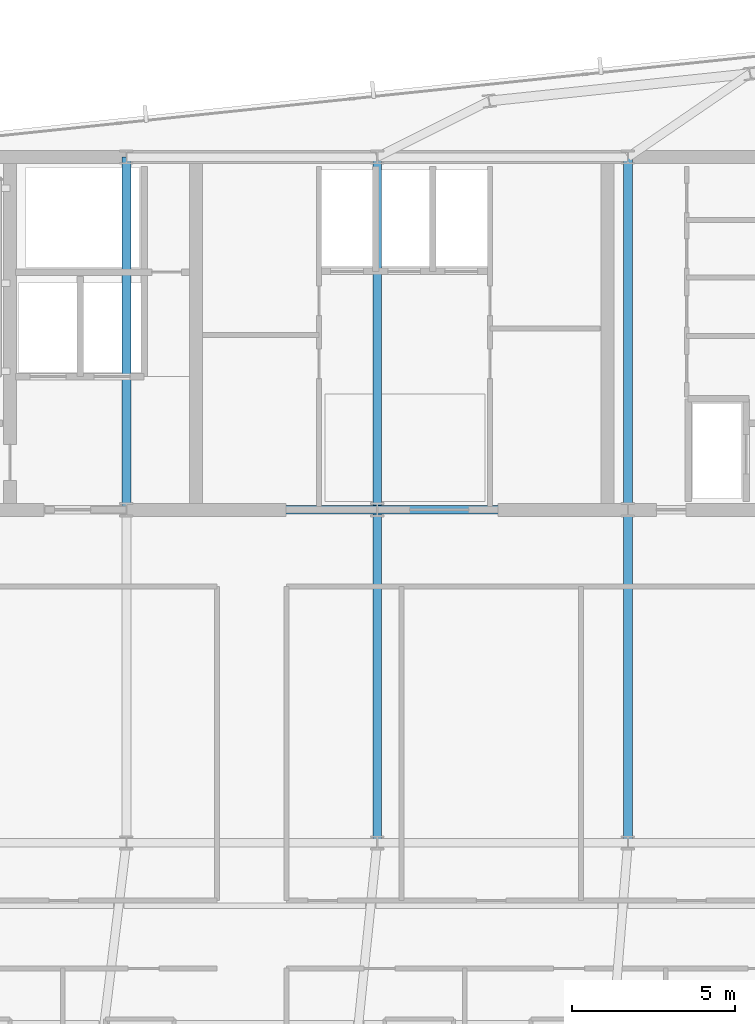
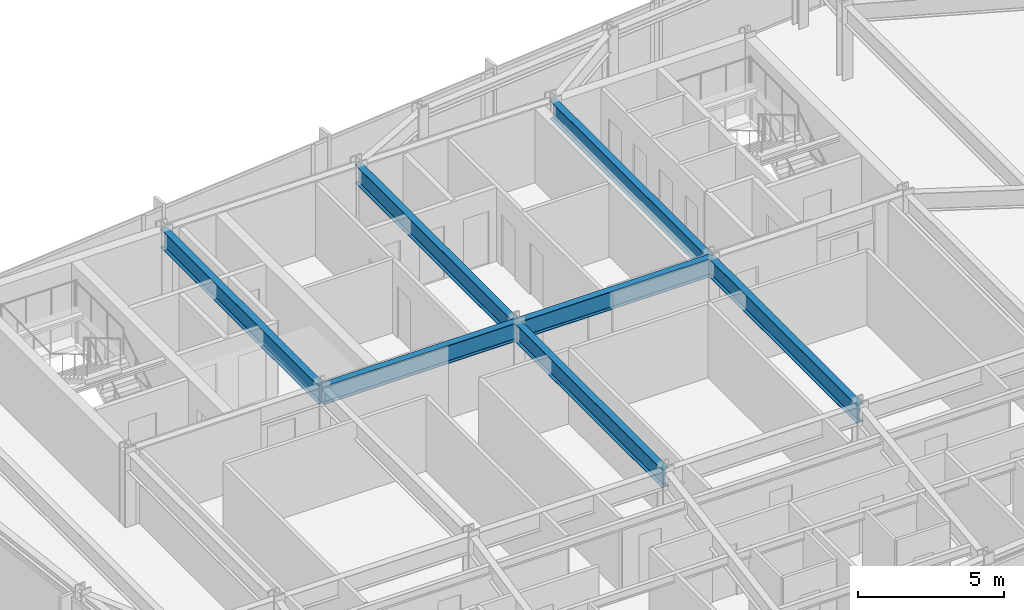
# One storey, part 13 of 33: 7 beams.
"""IFC4 building model written with IfcOpenShell, lengths in metres."""

from ifc_helpers import new_model, si_unit, direction, frame, origin, origin_2d, place, context, subcontext, project, spatial, i_section, extrude, material, material_profile, profile_set, type_object, element, save


model = new_model("IFC4")

# Units and contexts
model_context = context("Model", 3, precision=1e-05, world=origin(), true_north=direction((0.0, 1.0)))
body_context = subcontext(model_context, "Body", "Model", "MODEL_VIEW")
ifc_project = project(units=[si_unit("LENGTHUNIT", "METRE"), si_unit("AREAUNIT", "SQUARE_METRE"), si_unit("VOLUMEUNIT", "CUBIC_METRE"), si_unit("PLANEANGLEUNIT", "RADIAN"), si_unit("MASSUNIT", "GRAM", prefix="KILO")], contexts=[model_context])

# Site, building, storey
site_placement = place(None, origin())
site = spatial("IfcSite", under=ifc_project, at=site_placement, CompositionType="ELEMENT")
building_placement = place(site_placement, origin())
building = spatial("IfcBuilding", under=site, at=building_placement, Name="Yelkora Congress Tower", CompositionType="ELEMENT")
storey_placement = place(building_placement, frame((0.0, 0.0, 227.60009765625)))
storey = spatial("IfcBuildingStorey", under=building, at=storey_placement, Name="L63", CompositionType="ELEMENT", Elevation=227.60009765625)

# Beams
ifc_material = material(Name="Steel S355J2", Category="steel")
ifc_material_profile = material_profile(ifc_material, i_section(OverallWidth=0.26708984375, OverallDepth=0.761962890625, WebThickness=0.014404296875, FlangeThickness=0.021484375, FilletRadius=0.01708984375, at=origin_2d()), Name="IPE 750x173")
ifc_profile_set = profile_set([ifc_material_profile], Name="Steel S355J2")
beam_type = type_object("IfcBeamType", Name="BM-GIRD-IPE750", PredefinedType="BEAM", material=ifc_profile_set)
beam_1_placement = place(storey_placement, frame((30.719970703125, 35.39990234375, 2.698974609375), z_axis=(1.0, 0.0, 0.0), x_axis=(0.0, 1.0, 0.0)))
element("IfcBeam", 1, at=beam_1_placement, inside=storey, type_object=beam_type, Name="L63 Core South Girder 2", PredefinedType="BEAM", context=body_context, shape_type="SweptSolid", body=[
    extrude(i_section(OverallWidth=0.26708984375, OverallDepth=0.761962890625, WebThickness=0.014404296875, FlangeThickness=0.021484375, FilletRadius=0.01708984375, at=origin_2d()), origin(), (0.0, 0.0, 1.0), 7.679931640625),
])
beam_2_placement = place(storey_placement, frame((38.39990234375, 35.39990234375, 2.698974609375), z_axis=(1.0, 0.0, 0.0), x_axis=(0.0, 1.0, 0.0)))
element("IfcBeam", 2, at=beam_2_placement, inside=storey, type_object=beam_type, Name="L63 Core South Girder 3", PredefinedType="BEAM", context=body_context, shape_type="SweptSolid", body=[
    extrude(i_section(OverallWidth=0.26708984375, OverallDepth=0.761962890625, WebThickness=0.014404296875, FlangeThickness=0.021484375, FilletRadius=0.01708984375, at=origin_2d()), origin(), (0.0, 0.0, 1.0), 7.68017578125),
])
beam_3_placement = place(storey_placement, frame((30.719970703125, 35.39990234375, 2.698974609375), z_axis=(0.0, 1.0, 0.0), x_axis=(-1.0, 0.0, 0.0)))
element("IfcBeam", 3, at=beam_3_placement, inside=storey, type_object=beam_type, Name="L63 Core Tie Girder MC-S2", PredefinedType="BEAM", context=body_context, shape_type="SweptSolid", body=[
    extrude(i_section(OverallWidth=0.26708984375, OverallDepth=0.761962890625, WebThickness=0.014404296875, FlangeThickness=0.021484375, FilletRadius=0.01708984375, at=origin_2d()), origin(), (0.0, 0.0, 1.0), 10.800048828125),
])
beam_4_placement = place(storey_placement, frame((38.39990234375, 25.199951171875, 2.698974609375), z_axis=(0.0, 1.0, 0.0), x_axis=(-1.0, 0.0, 0.0)))
element("IfcBeam", 4, at=beam_4_placement, inside=storey, type_object=beam_type, Name="L63 Core Tie Girder MC-D3", PredefinedType="BEAM", context=body_context, shape_type="SweptSolid", body=[
    extrude(i_section(OverallWidth=0.26708984375, OverallDepth=0.761962890625, WebThickness=0.014404296875, FlangeThickness=0.021484375, FilletRadius=0.01708984375, at=origin_2d()), origin(), (0.0, 0.0, 1.0), 10.199951171875),
])
beam_5_placement = place(storey_placement, frame((38.39990234375, 35.39990234375, 2.698974609375), z_axis=(0.0, 1.0, 0.0), x_axis=(-1.0, 0.0, 0.0)))
element("IfcBeam", 5, at=beam_5_placement, inside=storey, type_object=beam_type, Name="L63 Core Tie Girder MC-S3", PredefinedType="BEAM", context=body_context, shape_type="SweptSolid", body=[
    extrude(i_section(OverallWidth=0.26708984375, OverallDepth=0.761962890625, WebThickness=0.014404296875, FlangeThickness=0.021484375, FilletRadius=0.01708984375, at=origin_2d()), origin(), (0.0, 0.0, 1.0), 10.800048828125),
])
beam_6_placement = place(storey_placement, frame((46.080078125, 25.199951171875, 2.698974609375), z_axis=(0.0, 1.0, 0.0), x_axis=(-1.0, 0.0, 0.0)))
element("IfcBeam", 6, at=beam_6_placement, inside=storey, type_object=beam_type, Name="L63 Core Tie Girder MC-D4", PredefinedType="BEAM", context=body_context, shape_type="SweptSolid", body=[
    extrude(i_section(OverallWidth=0.26708984375, OverallDepth=0.761962890625, WebThickness=0.014404296875, FlangeThickness=0.021484375, FilletRadius=0.01708984375, at=origin_2d()), origin(), (0.0, 0.0, 1.0), 10.199951171875),
])
beam_7_placement = place(storey_placement, frame((46.080078125, 35.39990234375, 2.698974609375), z_axis=(0.0, 1.0, 0.0), x_axis=(-1.0, 0.0, 0.0)))
element("IfcBeam", 7, at=beam_7_placement, inside=storey, type_object=beam_type, Name="L63 Core Tie Girder MC-S4", PredefinedType="BEAM", context=body_context, shape_type="SweptSolid", body=[
    extrude(i_section(OverallWidth=0.26708984375, OverallDepth=0.761962890625, WebThickness=0.014404296875, FlangeThickness=0.021484375, FilletRadius=0.01708984375, at=origin_2d()), origin(), (0.0, 0.0, 1.0), 10.800048828125),
])

save(model, "model.ifc")
